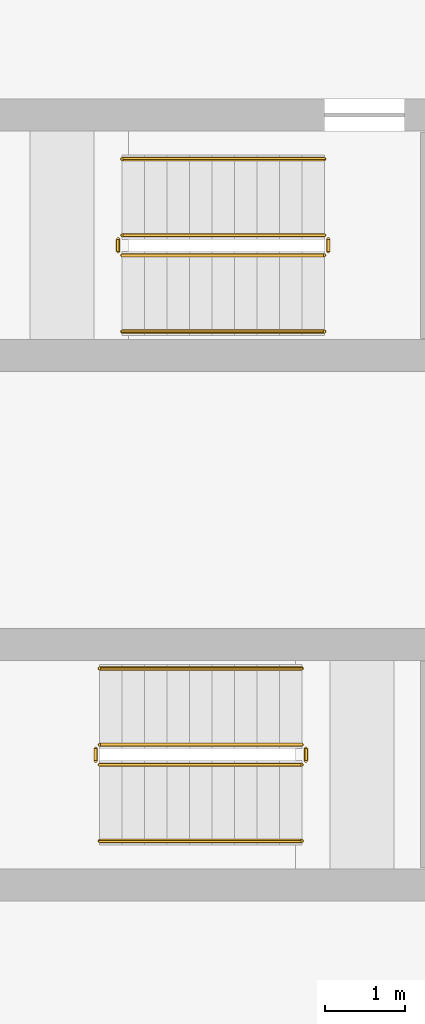
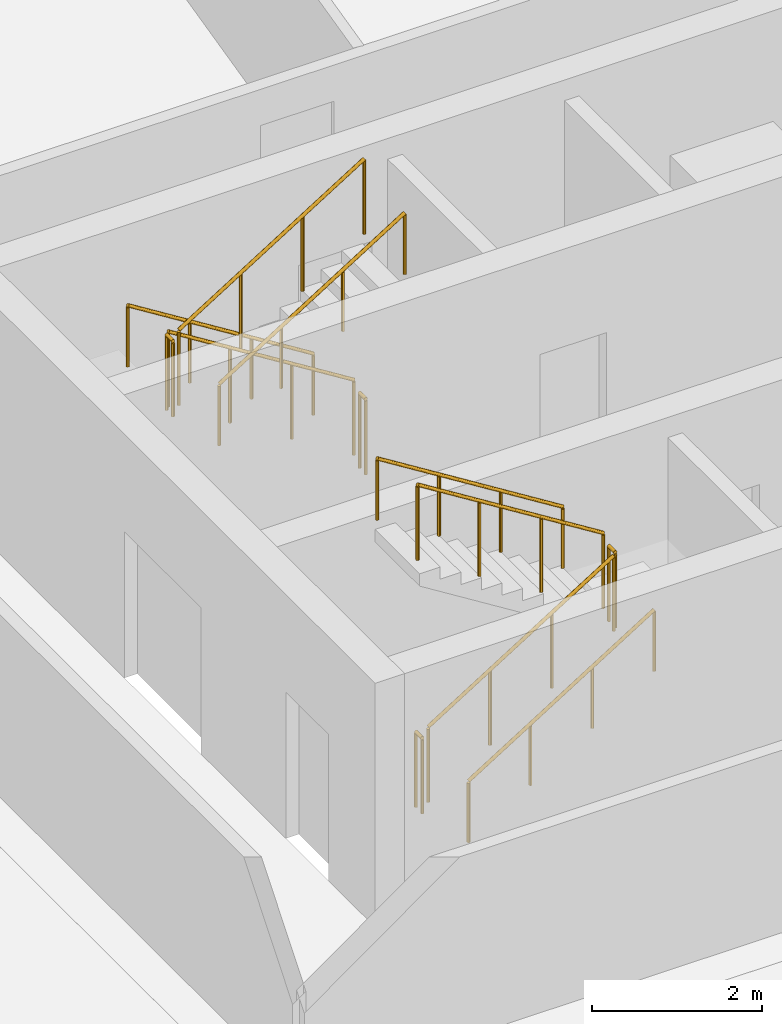
# One storey, part 8 of 9: 12 railings.
"""IFC4 building model written with IfcOpenShell, lengths in metres."""

from ifc_helpers import new_model, si_unit, direction, frame, origin, origin_2d, place, context, subcontext, project, spatial, circle, extrude, material, type_object, element, save


model = new_model("IFC4")

# Units and contexts
model_context = context("Model", 3, precision=1e-05, world=origin(), true_north=direction((0.0, 1.0)))
body_context = subcontext(model_context, "Body", "Model", "MODEL_VIEW")
ifc_project = project(units=[si_unit("LENGTHUNIT", "METRE"), si_unit("AREAUNIT", "SQUARE_METRE"), si_unit("VOLUMEUNIT", "CUBIC_METRE"), si_unit("PLANEANGLEUNIT", "RADIAN"), si_unit("MASSUNIT", "GRAM", prefix="KILO")], contexts=[model_context])

# Site, building, storey
site_placement = place(None, origin())
site = spatial("IfcSite", under=ifc_project, at=site_placement, CompositionType="ELEMENT")
building_placement = place(site_placement, origin())
building = spatial("IfcBuilding", under=site, at=building_placement, Name="Spindrift Exchange Tower", CompositionType="ELEMENT")
storey_placement = place(building_placement, frame((0.0, 0.0, 269.60009765625)))
storey = spatial("IfcBuildingStorey", under=building, at=storey_placement, Name="L66", CompositionType="ELEMENT", Elevation=269.60009765625)

# Railings
ifc_material_1 = material(Name="Steel balustrade", Category="steel")
railing_type_1 = type_object("IfcRailingType", Name="RL-STAIR-GUARD", PredefinedType="GUARDRAIL", material=ifc_material_1)
railing_1_placement = place(storey_placement, frame((50.5, 51.300048828125, 0.1748046875)))
element("IfcRailing", 1, at=railing_1_placement, inside=storey, type_object=railing_type_1, Name="L66 ST3 stair guard 1", PredefinedType="GUARDRAIL", context=body_context, shape_type="SweptSolid", body=[
    extrude(circle(Radius=0.02392578125, at=origin_2d()), frame((0.0, 0.0, 1.076171875), z_axis=(-0.847970611238, 0.0, 0.530043245855), x_axis=(0.0, -1.0, 0.0)), (0.0, 0.0, 1.0), 2.971923828125),
    extrude(circle(Radius=0.02099609375, at=origin_2d()), origin(), (0.0, 0.0, 1.0), 1.052001953125),
    extrude(circle(Radius=0.02099609375, at=origin_2d()), frame((-0.840087890625, 0.0, 0.525146484375)), (0.0, 0.0, 1.0), 1.052001953125),
    extrude(circle(Radius=0.02099609375, at=origin_2d()), frame((-1.679931640625, 0.0, 1.050048828125)), (0.0, 0.0, 1.0), 1.052001953125),
    extrude(circle(Radius=0.02099609375, at=origin_2d()), frame((-2.52001953125, 0.0, 1.5751953125)), (0.0, 0.0, 1.0), 1.052001953125),
])
railing_2_placement = place(storey_placement, frame((47.929931640625, 51.25, 1.75)))
element("IfcRailing", 2, at=railing_2_placement, inside=storey, type_object=railing_type_1, Name="L66 ST3 stair guard 2", PredefinedType="GUARDRAIL", context=body_context, shape_type="SweptSolid", body=[
    extrude(circle(Radius=0.02392578125, at=origin_2d()), frame((0.0, 0.0, 1.076171875), z_axis=(0.0, -1.0, 0.0), x_axis=(1.0, 0.0, 0.0)), (0.0, 0.0, 1.0), 0.14990234375),
    extrude(circle(Radius=0.02099609375, at=origin_2d()), origin(), (0.0, 0.0, 1.0), 1.052001953125),
    extrude(circle(Radius=0.02099609375, at=origin_2d()), frame((0.0, -0.14990234375, 0.0)), (0.0, 0.0, 1.0), 1.052001953125),
])
railing_3_placement = place(storey_placement, frame((47.97998046875, 51.050048828125, 1.9248046875)))
element("IfcRailing", 3, at=railing_3_placement, inside=storey, type_object=railing_type_1, Name="L66 ST3 stair guard 3", PredefinedType="GUARDRAIL", context=body_context, shape_type="SweptSolid", body=[
    extrude(circle(Radius=0.02392578125, at=origin_2d()), frame((0.0, 0.0, 1.076171875), z_axis=(0.847970611238, 0.0, 0.530043245855), x_axis=(0.0, 1.0, 0.0)), (0.0, 0.0, 1.0), 2.971923828125),
    extrude(circle(Radius=0.02099609375, at=origin_2d()), origin(), (0.0, 0.0, 1.0), 1.052001953125),
    extrude(circle(Radius=0.02099609375, at=origin_2d()), frame((0.840087890625, 0.0, 0.525146484375)), (0.0, 0.0, 1.0), 1.052001953125),
    extrude(circle(Radius=0.02099609375, at=origin_2d()), frame((1.679931640625, 0.0, 1.050048828125)), (0.0, 0.0, 1.0), 1.052001953125),
    extrude(circle(Radius=0.02099609375, at=origin_2d()), frame((2.52001953125, 0.0, 1.5751953125)), (0.0, 0.0, 1.0), 1.052001953125),
])
railing_4_placement = place(storey_placement, frame((50.550048828125, 51.25, 0.0)))
element("IfcRailing", 4, at=railing_4_placement, inside=storey, type_object=railing_type_1, Name="L66 ST3 stair guard 4", PredefinedType="GUARDRAIL", context=body_context, shape_type="SweptSolid", body=[
    extrude(circle(Radius=0.02392578125, at=origin_2d()), frame((0.0, 0.0, 1.076171875), z_axis=(0.0, -1.0, 0.0), x_axis=(1.0, 0.0, 0.0)), (0.0, 0.0, 1.0), 0.14990234375),
    extrude(circle(Radius=0.02099609375, at=origin_2d()), origin(), (0.0, 0.0, 1.0), 1.052001953125),
    extrude(circle(Radius=0.02099609375, at=origin_2d()), frame((0.0, -0.14990234375, 0.0)), (0.0, 0.0, 1.0), 1.052001953125),
])
railing_5_placement = place(storey_placement, frame((47.699951171875, 44.699951171875, 0.1748046875)))
element("IfcRailing", 5, at=railing_5_placement, inside=storey, type_object=railing_type_1, Name="L66 ST4 stair guard 1", PredefinedType="GUARDRAIL", context=body_context, shape_type="SweptSolid", body=[
    extrude(circle(Radius=0.02392578125, at=origin_2d()), frame((0.0, 0.0, 1.076171875), z_axis=(0.847970611238, 0.0, 0.530043245855), x_axis=(0.0, 1.0, 0.0)), (0.0, 0.0, 1.0), 2.971923828125),
    extrude(circle(Radius=0.02099609375, at=origin_2d()), origin(), (0.0, 0.0, 1.0), 1.052001953125),
    extrude(circle(Radius=0.02099609375, at=origin_2d()), frame((0.840087890625, 0.0, 0.525146484375)), (0.0, 0.0, 1.0), 1.052001953125),
    extrude(circle(Radius=0.02099609375, at=origin_2d()), frame((1.679931640625, 0.0, 1.050048828125)), (0.0, 0.0, 1.0), 1.052001953125),
    extrude(circle(Radius=0.02099609375, at=origin_2d()), frame((2.52001953125, 0.0, 1.5751953125)), (0.0, 0.0, 1.0), 1.052001953125),
])
railing_6_placement = place(storey_placement, frame((50.27001953125, 44.75, 1.75)))
element("IfcRailing", 6, at=railing_6_placement, inside=storey, type_object=railing_type_1, Name="L66 ST4 stair guard 2", PredefinedType="GUARDRAIL", context=body_context, shape_type="SweptSolid", body=[
    extrude(circle(Radius=0.02392578125, at=origin_2d()), frame((0.0, 0.0, 1.076171875), z_axis=(0.0, 1.0, 0.0), x_axis=(-1.0, 0.0, 0.0)), (0.0, 0.0, 1.0), 0.14990234375),
    extrude(circle(Radius=0.02099609375, at=origin_2d()), origin(), (0.0, 0.0, 1.0), 1.052001953125),
    extrude(circle(Radius=0.02099609375, at=origin_2d()), frame((0.0, 0.14990234375, 0.0)), (0.0, 0.0, 1.0), 1.052001953125),
])
railing_7_placement = place(storey_placement, frame((50.219970703125, 44.949951171875, 1.9248046875)))
element("IfcRailing", 7, at=railing_7_placement, inside=storey, type_object=railing_type_1, Name="L66 ST4 stair guard 3", PredefinedType="GUARDRAIL", context=body_context, shape_type="SweptSolid", body=[
    extrude(circle(Radius=0.02392578125, at=origin_2d()), frame((0.0, 0.0, 1.076171875), z_axis=(-0.847970611238, 0.0, 0.530043245855), x_axis=(0.0, -1.0, 0.0)), (0.0, 0.0, 1.0), 2.971923828125),
    extrude(circle(Radius=0.02099609375, at=origin_2d()), origin(), (0.0, 0.0, 1.0), 1.052001953125),
    extrude(circle(Radius=0.02099609375, at=origin_2d()), frame((-0.840087890625, 0.0, 0.525146484375)), (0.0, 0.0, 1.0), 1.052001953125),
    extrude(circle(Radius=0.02099609375, at=origin_2d()), frame((-1.679931640625, 0.0, 1.050048828125)), (0.0, 0.0, 1.0), 1.052001953125),
    extrude(circle(Radius=0.02099609375, at=origin_2d()), frame((-2.52001953125, 0.0, 1.5751953125)), (0.0, 0.0, 1.0), 1.052001953125),
])
railing_8_placement = place(storey_placement, frame((47.64990234375, 44.75, 0.0)))
element("IfcRailing", 8, at=railing_8_placement, inside=storey, type_object=railing_type_1, Name="L66 ST4 stair guard 4", PredefinedType="GUARDRAIL", context=body_context, shape_type="SweptSolid", body=[
    extrude(circle(Radius=0.02392578125, at=origin_2d()), frame((0.0, 0.0, 1.076171875), z_axis=(0.0, 1.0, 0.0), x_axis=(-1.0, 0.0, 0.0)), (0.0, 0.0, 1.0), 0.14990234375),
    extrude(circle(Radius=0.02099609375, at=origin_2d()), origin(), (0.0, 0.0, 1.0), 1.052001953125),
    extrude(circle(Radius=0.02099609375, at=origin_2d()), frame((0.0, 0.14990234375, 0.0)), (0.0, 0.0, 1.0), 1.052001953125),
])
ifc_material_2 = material(Name="Steel tubular handrail", Category="steel")
railing_type_2 = type_object("IfcRailingType", Name="RL-STAIR-HAND", PredefinedType="HANDRAIL", material=ifc_material_2)
railing_9_placement = place(storey_placement, frame((50.5, 52.25, 0.1748046875)))
element("IfcRailing", 9, at=railing_9_placement, inside=storey, type_object=railing_type_2, Name="L66 ST3 stair handrail 1", PredefinedType="HANDRAIL", context=body_context, shape_type="SweptSolid", body=[
    extrude(circle(Radius=0.02392578125, at=origin_2d()), frame((0.0, 0.0, 0.8759765625), z_axis=(-0.847970611238, 0.0, 0.530043245855), x_axis=(0.0, -1.0, 0.0)), (0.0, 0.0, 1.0), 2.971923828125),
    extrude(circle(Radius=0.02099609375, at=origin_2d()), origin(), (0.0, 0.0, 1.0), 0.851806640625),
    extrude(circle(Radius=0.02099609375, at=origin_2d()), frame((-0.840087890625, 0.0, 0.525146484375)), (0.0, 0.0, 1.0), 0.851806640625),
    extrude(circle(Radius=0.02099609375, at=origin_2d()), frame((-1.679931640625, 0.0, 1.050048828125)), (0.0, 0.0, 1.0), 0.851806640625),
    extrude(circle(Radius=0.02099609375, at=origin_2d()), frame((-2.52001953125, 0.0, 1.5751953125)), (0.0, 0.0, 1.0), 0.851806640625),
])
for number, where, name in (
    (10, (47.97998046875, 50.10009765625, 1.9248046875), "L66 ST3 stair handrail 2"),
    (11, (47.699951171875, 43.75, 0.1748046875), "L66 ST4 stair handrail 1"),
):
    element("IfcRailing", number, at=place(storey_placement, frame(where)), inside=storey, type_object=railing_type_2, Name=name, PredefinedType="HANDRAIL", context=body_context, shape_type="SweptSolid", body=[
        extrude(circle(Radius=0.02392578125, at=origin_2d()), frame((0.0, 0.0, 0.8759765625), z_axis=(0.847970611238, 0.0, 0.530043245855), x_axis=(0.0, 1.0, 0.0)), (0.0, 0.0, 1.0), 2.971923828125),
        extrude(circle(Radius=0.02099609375, at=origin_2d()), origin(), (0.0, 0.0, 1.0), 0.851806640625),
        extrude(circle(Radius=0.02099609375, at=origin_2d()), frame((0.840087890625, 0.0, 0.525146484375)), (0.0, 0.0, 1.0), 0.851806640625),
        extrude(circle(Radius=0.02099609375, at=origin_2d()), frame((1.679931640625, 0.0, 1.050048828125)), (0.0, 0.0, 1.0), 0.851806640625),
        extrude(circle(Radius=0.02099609375, at=origin_2d()), frame((2.52001953125, 0.0, 1.5751953125)), (0.0, 0.0, 1.0), 0.851806640625),
    ])
railing_10_placement = place(storey_placement, frame((50.219970703125, 45.89990234375, 1.9248046875)))
element("IfcRailing", 12, at=railing_10_placement, inside=storey, type_object=railing_type_2, Name="L66 ST4 stair handrail 2", PredefinedType="HANDRAIL", context=body_context, shape_type="SweptSolid", body=[
    extrude(circle(Radius=0.02392578125, at=origin_2d()), frame((0.0, 0.0, 0.8759765625), z_axis=(-0.847970611238, 0.0, 0.530043245855), x_axis=(0.0, -1.0, 0.0)), (0.0, 0.0, 1.0), 2.971923828125),
    extrude(circle(Radius=0.02099609375, at=origin_2d()), origin(), (0.0, 0.0, 1.0), 0.851806640625),
    extrude(circle(Radius=0.02099609375, at=origin_2d()), frame((-0.840087890625, 0.0, 0.525146484375)), (0.0, 0.0, 1.0), 0.851806640625),
    extrude(circle(Radius=0.02099609375, at=origin_2d()), frame((-1.679931640625, 0.0, 1.050048828125)), (0.0, 0.0, 1.0), 0.851806640625),
    extrude(circle(Radius=0.02099609375, at=origin_2d()), frame((-2.52001953125, 0.0, 1.5751953125)), (0.0, 0.0, 1.0), 0.851806640625),
])

save(model, "model.ifc")
